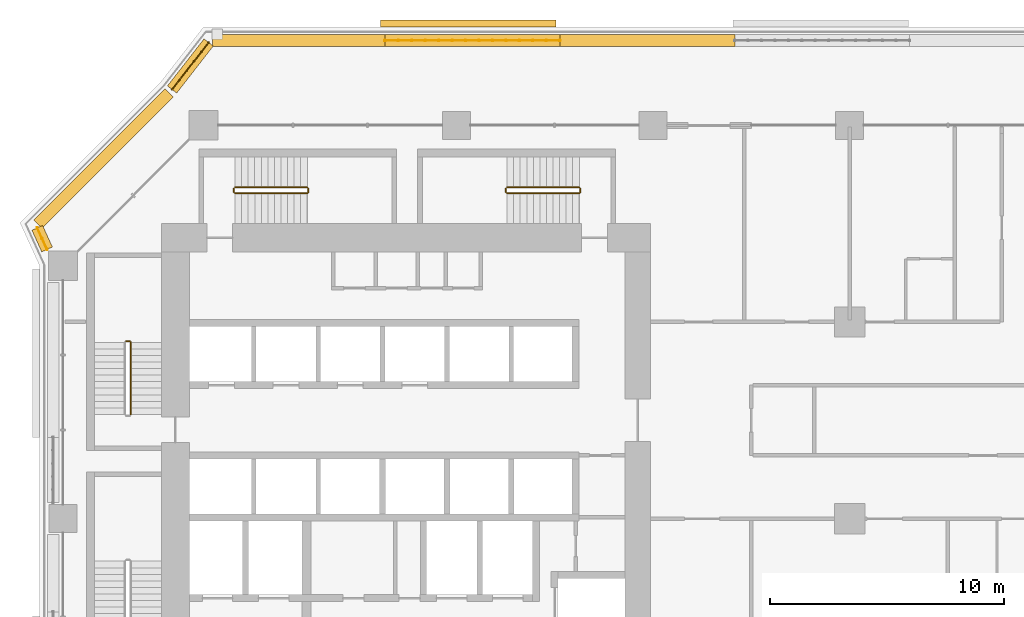
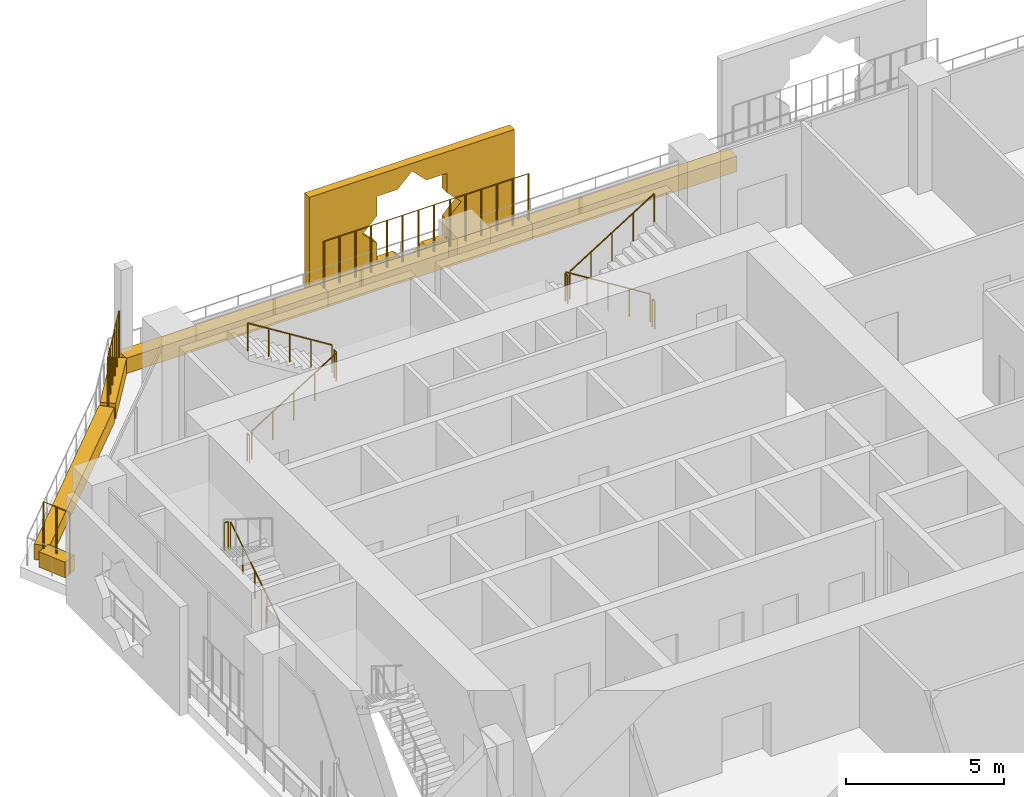
# One storey, part 26 of 28: 13 railings, 7 coverings.
"""IFC4 building model written with IfcOpenShell, lengths in metres."""

from ifc_helpers import new_model, si_unit, direction, frame, origin, origin_2d, place, context, subcontext, project, spatial, polyline, rectangle, circle, outline, extrude, material, material_profile, profile_set, type_object, element, save


model = new_model("IFC4")

# Units and contexts
model_context = context("Model", 3, precision=1e-05, world=origin(), true_north=direction((0.0, 1.0)))
body_context = subcontext(model_context, "Body", "Model", "MODEL_VIEW")
ifc_project = project(units=[si_unit("LENGTHUNIT", "METRE"), si_unit("AREAUNIT", "SQUARE_METRE"), si_unit("VOLUMEUNIT", "CUBIC_METRE"), si_unit("PLANEANGLEUNIT", "RADIAN"), si_unit("MASSUNIT", "GRAM", prefix="KILO")], contexts=[model_context])

# Site, building, storey
site_placement = place(None, origin())
site = spatial("IfcSite", under=ifc_project, at=site_placement, CompositionType="ELEMENT")
building_placement = place(site_placement, origin())
building = spatial("IfcBuilding", under=site, at=building_placement, Name="Kawkab Arch Medical Tower", CompositionType="ELEMENT")
storey_placement = place(building_placement, frame((0.0, 0.0, 72.800048828125)))
storey = spatial("IfcBuildingStorey", under=building, at=storey_placement, Name="L16", CompositionType="ELEMENT", Elevation=72.800048828125)

# Coverings
ifc_material_1 = material(Name="Bronze anodised aluminium mashrabiya panel, eight-point star pattern", Category="aluminium")
ifc_material_profile_1 = material_profile(ifc_material_1, outline(polyline([(-3.75, -2.10009765625), (3.75, -2.10009765625), (3.75, 2.10009765625), (-3.75, 2.10009765625), (-3.75, -2.10009765625)]), holes=[polyline([(1.800048828125, 0.0), (1.272705078125, 0.527099609375), (1.272705078125, 1.272705078125), (0.527099609375, 1.272705078125), (0.0, 1.800048828125), (-0.527099609375, 1.272705078125), (-1.272705078125, 1.272705078125), (-1.272705078125, 0.527099609375), (-1.800048828125, 0.0), (-1.272705078125, -0.527099609375), (-1.272705078125, -1.272705078125), (-0.527099609375, -1.272705078125), (0.0, -1.800048828125), (0.527099609375, -1.272705078125), (1.272705078125, -1.272705078125), (1.272705078125, -0.527099609375), (1.800048828125, 0.0)])]), Name="Mashrabiya panel 7500x4200")
ifc_profile_set_1 = profile_set([ifc_material_profile_1], Name="Bronze anodised aluminium mashrabiya panel, eight-point star pattern")
covering_type_1 = type_object("IfcCoveringType", Name="Mashrabiya panel 7500 x 4200", PredefinedType="USERDEFINED", material=ifc_profile_set_1)
covering_1_placement = place(storey_placement, frame((17.30322265625, 4.199951171875, 1.699951171875), z_axis=(0.0, 1.0, 0.0), x_axis=(-1.0, 0.0, 0.0)))
element("IfcCovering", 1, at=covering_1_placement, inside=storey, type_object=covering_type_1, Name="Mashrabiya panel L16.LOG-01-01.6", ObjectType="SCREEN", PredefinedType="USERDEFINED", context=body_context, shape_type="SweptSolid", body=[
    extrude(outline(polyline([(-3.75, -2.10009765625), (3.75, -2.10009765625), (3.75, 2.10009765625), (-3.75, 2.10009765625), (-3.75, -2.10009765625)]), holes=[polyline([(1.800048828125, 0.0), (1.272705078125, 0.527099609375), (1.272705078125, 1.272705078125), (0.527099609375, 1.272705078125), (0.0, 1.800048828125), (-0.527099609375, 1.272705078125), (-1.272705078125, 1.272705078125), (-1.272705078125, 0.527099609375), (-1.800048828125, 0.0), (-1.272705078125, -0.527099609375), (-1.272705078125, -1.272705078125), (-0.527099609375, -1.272705078125), (0.0, -1.800048828125), (0.527099609375, -1.272705078125), (1.272705078125, -1.272705078125), (1.272705078125, -0.527099609375), (1.800048828125, 0.0)])]), origin(), (0.0, 0.0, 1.0), 0.300048828125),
])
ifc_material_2 = material(Name="Planting soil in a precast trough", Category="concrete")
ifc_material_profile_2 = material_profile(ifc_material_2, rectangle(XDim=0.5, YDim=0.60009765625, at=origin_2d()), Name="Trough 500x600")
ifc_profile_set_2 = profile_set([ifc_material_profile_2], Name="Planting soil in a precast trough")
covering_type_2 = type_object("IfcCoveringType", Name="Planter trough 500 x 600", PredefinedType="USERDEFINED", material=ifc_profile_set_2)
covering_2_placement = place(storey_placement, frame((-0.680908203125, -5.302001953125, 0.300048828125), z_axis=(-0.415071571878, 0.909788761317, 0.0), x_axis=(-0.909788761317, -0.415071571878, 0.0)))
element("IfcCovering", 2, at=covering_2_placement, inside=storey, type_object=covering_type_2, Name="Planter L16.LOG-01-01.17", ObjectType="PLANTER", PredefinedType="USERDEFINED", context=body_context, shape_type="SweptSolid", body=[
    extrude(rectangle(XDim=0.5, YDim=0.60009765625, at=origin_2d()), origin(), (0.0, 0.0, 1.0), 1.0146484375),
])
covering_3_placement = place(storey_placement, frame((-1.072998046875, -4.217041015625, 0.300048828125), z_axis=(0.707106781187, 0.707106781187, 0.0), x_axis=(-0.707106781187, 0.707106781187, 0.0)))
element("IfcCovering", 3, at=covering_3_placement, inside=storey, type_object=covering_type_2, Name="Planter L16.LOG-01-01.18", ObjectType="PLANTER", PredefinedType="USERDEFINED", context=body_context, shape_type="SweptSolid", body=[
    extrude(rectangle(XDim=0.5, YDim=0.60009765625, at=origin_2d()), origin(), (0.0, 0.0, 1.0), 7.919677734375),
])
covering_4_placement = place(storey_placement, frame((4.658935546875, 1.531982421875, 0.300048828125), z_axis=(0.61404021143, 0.789274742246, 0.0), x_axis=(-0.789274742246, 0.61404021143, 0.0)))
element("IfcCovering", 4, at=covering_4_placement, inside=storey, type_object=covering_type_2, Name="Planter L16.LOG-01-01.19", ObjectType="PLANTER", PredefinedType="USERDEFINED", context=body_context, shape_type="SweptSolid", body=[
    extrude(rectangle(XDim=0.5, YDim=0.60009765625, at=origin_2d()), origin(), (0.0, 0.0, 1.0), 2.54541015625),
])
covering_5_placement = place(storey_placement, frame((6.384033203125, 3.6201171875, 0.300048828125), z_axis=(1.0, 0.0, 0.0), x_axis=(0.0, 1.0, 0.0)))
element("IfcCovering", 5, at=covering_5_placement, inside=storey, type_object=covering_type_2, Name="Planter L16.LOG-01-01.20", ObjectType="PLANTER", PredefinedType="USERDEFINED", context=body_context, shape_type="SweptSolid", body=[
    extrude(rectangle(XDim=0.5, YDim=0.60009765625, at=origin_2d()), origin(), (0.0, 0.0, 1.0), 7.369873046875),
])
covering_6_placement = place(storey_placement, frame((13.75390625, 3.6201171875, 0.300048828125), z_axis=(1.0, 0.0, 0.0), x_axis=(0.0, 1.0, 0.0)))
element("IfcCovering", 6, at=covering_6_placement, inside=storey, type_object=covering_type_2, Name="Planter L16.LOG-01-01.21", ObjectType="PLANTER", PredefinedType="USERDEFINED", context=body_context, shape_type="SweptSolid", body=[
    extrude(rectangle(XDim=0.5, YDim=0.60009765625, at=origin_2d()), origin(), (0.0, 0.0, 1.0), 7.47021484375),
])
covering_7_placement = place(storey_placement, frame((21.22412109375, 3.6201171875, 0.300048828125), z_axis=(1.0, 0.0, 0.0), x_axis=(0.0, 1.0, 0.0)))
element("IfcCovering", 7, at=covering_7_placement, inside=storey, type_object=covering_type_2, Name="Planter L16.LOG-01-01.22", ObjectType="PLANTER", PredefinedType="USERDEFINED", context=body_context, shape_type="SweptSolid", body=[
    extrude(rectangle(XDim=0.5, YDim=0.60009765625, at=origin_2d()), origin(), (0.0, 0.0, 1.0), 7.470947265625),
])

# Railings
ifc_material_3 = material(Name="Bronze anodised aluminium trellis for climbing plants", Category="aluminium")
railing_type_1 = type_object("IfcRailingType", Name="Planting trellis 2400", PredefinedType="USERDEFINED", material=ifc_material_3)
railing_1_placement = place(storey_placement, frame((-0.680908203125, -5.302001953125, 0.0)))
element("IfcRailing", 8, at=railing_1_placement, inside=storey, type_object=railing_type_1, Name="Planting trellis L16.LOG-01-01.17", ObjectType="TRELLIS", PredefinedType="USERDEFINED", context=body_context, shape_type="SweptSolid", body=[
    extrude(circle(Radius=0.01513671875, at=origin_2d()), frame((0.0, 0.0, 2.384765625), z_axis=(-0.415071571878, 0.909788761317, 0.0), x_axis=(-0.909788761317, -0.415071571878, 0.0)), (0.0, 0.0, 1.0), 1.0146484375),
    extrude(circle(Radius=0.030029296875, at=origin_2d()), origin(), (0.0, 0.0, 1.0), 2.369873046875),
    extrude(circle(Radius=0.030029296875, at=origin_2d()), frame((-0.21044921875, 0.46142578125, 0.0)), (0.0, 0.0, 1.0), 2.369873046875),
    extrude(circle(Radius=0.030029296875, at=origin_2d()), frame((-0.421142578125, 0.923095703125, 0.0)), (0.0, 0.0, 1.0), 2.369873046875),
])
railing_2_placement = place(storey_placement, frame((4.658935546875, 1.531982421875, 0.0)))
element("IfcRailing", 9, at=railing_2_placement, inside=storey, type_object=railing_type_1, Name="Planting trellis L16.LOG-01-01.19", ObjectType="TRELLIS", PredefinedType="USERDEFINED", context=body_context, shape_type="SweptSolid", body=[
    extrude(circle(Radius=0.01513671875, at=origin_2d()), frame((0.0, 0.0, 2.384765625), z_axis=(0.61404021143, 0.789274742246, 0.0), x_axis=(-0.789274742246, 0.61404021143, 0.0)), (0.0, 0.0, 1.0), 2.54541015625),
    extrude(circle(Radius=0.030029296875, at=origin_2d()), origin(), (0.0, 0.0, 1.0), 2.369873046875),
    extrude(circle(Radius=0.030029296875, at=origin_2d()), frame((0.3125, 0.40185546875, 0.0)), (0.0, 0.0, 1.0), 2.369873046875),
    extrude(circle(Radius=0.030029296875, at=origin_2d()), frame((0.625244140625, 0.8037109375, 0.0)), (0.0, 0.0, 1.0), 2.369873046875),
    extrude(circle(Radius=0.030029296875, at=origin_2d()), frame((0.937744140625, 1.205322265625, 0.0)), (0.0, 0.0, 1.0), 2.369873046875),
    extrude(circle(Radius=0.030029296875, at=origin_2d()), frame((1.25048828125, 1.607177734375, 0.0)), (0.0, 0.0, 1.0), 2.369873046875),
    extrude(circle(Radius=0.030029296875, at=origin_2d()), frame((1.56298828125, 2.009033203125, 0.0)), (0.0, 0.0, 1.0), 2.369873046875),
])
railing_3_placement = place(storey_placement, frame((13.75390625, 3.6201171875, 0.0)))
element("IfcRailing", 10, at=railing_3_placement, inside=storey, type_object=railing_type_1, Name="Planting trellis L16.LOG-01-01.21", ObjectType="TRELLIS", PredefinedType="USERDEFINED", context=body_context, shape_type="SweptSolid", body=[
    extrude(circle(Radius=0.01513671875, at=origin_2d()), frame((0.0, 0.0, 2.384765625), z_axis=(1.0, 0.0, 0.0), x_axis=(0.0, 1.0, 0.0)), (0.0, 0.0, 1.0), 7.47021484375),
    extrude(circle(Radius=0.030029296875, at=origin_2d()), origin(), (0.0, 0.0, 1.0), 2.369873046875),
    extrude(circle(Radius=0.030029296875, at=origin_2d()), frame((0.57470703125, 0.0, 0.0)), (0.0, 0.0, 1.0), 2.369873046875),
    extrude(circle(Radius=0.030029296875, at=origin_2d()), frame((1.149169921875, 0.0, 0.0)), (0.0, 0.0, 1.0), 2.369873046875),
    extrude(circle(Radius=0.030029296875, at=origin_2d()), frame((1.723876953125, 0.0, 0.0)), (0.0, 0.0, 1.0), 2.369873046875),
    extrude(circle(Radius=0.030029296875, at=origin_2d()), frame((2.298583984375, 0.0, 0.0)), (0.0, 0.0, 1.0), 2.369873046875),
    extrude(circle(Radius=0.030029296875, at=origin_2d()), frame((2.873046875, 0.0, 0.0)), (0.0, 0.0, 1.0), 2.369873046875),
    extrude(circle(Radius=0.030029296875, at=origin_2d()), frame((3.44775390625, 0.0, 0.0)), (0.0, 0.0, 1.0), 2.369873046875),
    extrude(circle(Radius=0.030029296875, at=origin_2d()), frame((4.0224609375, 0.0, 0.0)), (0.0, 0.0, 1.0), 2.369873046875),
    extrude(circle(Radius=0.030029296875, at=origin_2d()), frame((4.59716796875, 0.0, 0.0)), (0.0, 0.0, 1.0), 2.369873046875),
    extrude(circle(Radius=0.030029296875, at=origin_2d()), frame((5.171630859375, 0.0, 0.0)), (0.0, 0.0, 1.0), 2.369873046875),
    extrude(circle(Radius=0.030029296875, at=origin_2d()), frame((5.746337890625, 0.0, 0.0)), (0.0, 0.0, 1.0), 2.369873046875),
    extrude(circle(Radius=0.030029296875, at=origin_2d()), frame((6.321044921875, 0.0, 0.0)), (0.0, 0.0, 1.0), 2.369873046875),
    extrude(circle(Radius=0.030029296875, at=origin_2d()), frame((6.8955078125, 0.0, 0.0)), (0.0, 0.0, 1.0), 2.369873046875),
    extrude(circle(Radius=0.030029296875, at=origin_2d()), frame((7.47021484375, 0.0, 0.0)), (0.0, 0.0, 1.0), 2.369873046875),
])
ifc_material_4 = material(Name="Stainless steel", Category="steel")
railing_type_2 = type_object("IfcRailingType", Name="Stair guard 1100", PredefinedType="GUARDRAIL", material=ifc_material_4)
railing_4_placement = place(storey_placement, frame((2.89990234375, -12.35009765625, 0.175048828125)))
element("IfcRailing", 11, at=railing_4_placement, inside=storey, type_object=railing_type_2, Name="L16 ST1 stair guard 1", PredefinedType="GUARDRAIL", context=body_context, shape_type="SweptSolid", body=[
    extrude(circle(Radius=0.02392578125, at=origin_2d()), frame((0.0, 0.0, 1.076171875), z_axis=(0.0, 0.848028513186, 0.529950602248), x_axis=(-1.0, 0.0, 0.0)), (0.0, 0.0, 1.0), 3.632080078125),
    extrude(circle(Radius=0.02099609375, at=origin_2d()), origin(), (0.0, 0.0, 1.0), 1.052001953125),
    extrude(circle(Radius=0.02099609375, at=origin_2d()), frame((0.0, 0.77001953125, 0.481201171875)), (0.0, 0.0, 1.0), 1.052001953125),
    extrude(circle(Radius=0.02099609375, at=origin_2d()), frame((0.0, 1.5400390625, 0.96240234375)), (0.0, 0.0, 1.0), 1.052001953125),
    extrude(circle(Radius=0.02099609375, at=origin_2d()), frame((0.0, 2.31005859375, 1.443603515625)), (0.0, 0.0, 1.0), 1.052001953125),
    extrude(circle(Radius=0.02099609375, at=origin_2d()), frame((0.0, 3.080078125, 1.9248046875)), (0.0, 0.0, 1.0), 1.052001953125),
])
railing_5_placement = place(storey_placement, frame((2.85009765625, -9.219970703125, 2.099853515625)))
element("IfcRailing", 12, at=railing_5_placement, inside=storey, type_object=railing_type_2, Name="L16 ST1 stair guard 2", PredefinedType="GUARDRAIL", context=body_context, shape_type="SweptSolid", body=[
    extrude(circle(Radius=0.02392578125, at=origin_2d()), frame((0.0, 0.0, 1.076171875), z_axis=(-1.0, 0.0, 0.0), x_axis=(0.0, -1.0, 0.0)), (0.0, 0.0, 1.0), 0.150146484375),
    extrude(circle(Radius=0.02099609375, at=origin_2d()), origin(), (0.0, 0.0, 1.0), 1.052001953125),
    extrude(circle(Radius=0.02099609375, at=origin_2d()), frame((-0.150146484375, 0.0, 0.0)), (0.0, 0.0, 1.0), 1.052001953125),
])
railing_6_placement = place(storey_placement, frame((7.35009765625, -2.89990234375, 0.175048828125)))
element("IfcRailing", 13, at=railing_6_placement, inside=storey, type_object=railing_type_2, Name="L16 ST3 stair guard 1", PredefinedType="GUARDRAIL", context=body_context, shape_type="SweptSolid", body=[
    extrude(circle(Radius=0.02392578125, at=origin_2d()), frame((0.0, 0.0, 1.076171875), z_axis=(0.848009633417, 0.0, 0.529980812513), x_axis=(0.0, 1.0, 0.0)), (0.0, 0.0, 1.0), 3.6318359375),
    extrude(circle(Radius=0.02099609375, at=origin_2d()), origin(), (0.0, 0.0, 1.0), 1.052001953125),
    extrude(circle(Radius=0.02099609375, at=origin_2d()), frame((0.77001953125, 0.0, 0.481201171875)), (0.0, 0.0, 1.0), 1.052001953125),
    extrude(circle(Radius=0.02099609375, at=origin_2d()), frame((1.5400390625, 0.0, 0.96240234375)), (0.0, 0.0, 1.0), 1.052001953125),
    extrude(circle(Radius=0.02099609375, at=origin_2d()), frame((2.309814453125, 0.0, 1.443603515625)), (0.0, 0.0, 1.0), 1.052001953125),
    extrude(circle(Radius=0.02099609375, at=origin_2d()), frame((3.079833984375, 0.0, 1.9248046875)), (0.0, 0.0, 1.0), 1.052001953125),
])
railing_7_placement = place(storey_placement, frame((10.47998046875, -2.85009765625, 2.099853515625)))
element("IfcRailing", 14, at=railing_7_placement, inside=storey, type_object=railing_type_2, Name="L16 ST3 stair guard 2", PredefinedType="GUARDRAIL", context=body_context, shape_type="SweptSolid", body=[
    extrude(circle(Radius=0.02392578125, at=origin_2d()), frame((0.0, 0.0, 1.076171875), z_axis=(0.0, 1.0, 0.0), x_axis=(-1.0, 0.0, 0.0)), (0.0, 0.0, 1.0), 0.150146484375),
    extrude(circle(Radius=0.02099609375, at=origin_2d()), origin(), (0.0, 0.0, 1.0), 1.052001953125),
    extrude(circle(Radius=0.02099609375, at=origin_2d()), frame((0.0, 0.150146484375, 0.0)), (0.0, 0.0, 1.0), 1.052001953125),
])
railing_8_placement = place(storey_placement, frame((10.429931640625, -2.64990234375, 2.27490234375)))
element("IfcRailing", 15, at=railing_8_placement, inside=storey, type_object=railing_type_2, Name="L16 ST3 stair guard 3", PredefinedType="GUARDRAIL", context=body_context, shape_type="SweptSolid", body=[
    extrude(circle(Radius=0.02392578125, at=origin_2d()), frame((0.0, 0.0, 1.076171875), z_axis=(-0.847979421464, 0.0, 0.530029150871), x_axis=(0.0, -1.0, 0.0)), (0.0, 0.0, 1.0), 3.632080078125),
    extrude(circle(Radius=0.02099609375, at=origin_2d()), origin(), (0.0, 0.0, 1.0), 1.052001953125),
    extrude(circle(Radius=0.02099609375, at=origin_2d()), frame((-0.77001953125, 0.0, 0.481201171875)), (0.0, 0.0, 1.0), 1.052001953125),
    extrude(circle(Radius=0.02099609375, at=origin_2d()), frame((-1.5400390625, 0.0, 0.96240234375)), (0.0, 0.0, 1.0), 1.052001953125),
    extrude(circle(Radius=0.02099609375, at=origin_2d()), frame((-2.309814453125, 0.0, 1.44384765625)), (0.0, 0.0, 1.0), 1.052001953125),
    extrude(circle(Radius=0.02099609375, at=origin_2d()), frame((-3.079833984375, 0.0, 1.925048828125)), (0.0, 0.0, 1.0), 1.052001953125),
])
railing_9_placement = place(storey_placement, frame((7.300048828125, -2.85009765625, 0.0)))
element("IfcRailing", 16, at=railing_9_placement, inside=storey, type_object=railing_type_2, Name="L16 ST3 stair guard 4", PredefinedType="GUARDRAIL", context=body_context, shape_type="SweptSolid", body=[
    extrude(circle(Radius=0.02392578125, at=origin_2d()), frame((0.0, 0.0, 1.076171875), z_axis=(0.0, 1.0, 0.0), x_axis=(-1.0, 0.0, 0.0)), (0.0, 0.0, 1.0), 0.150146484375),
    extrude(circle(Radius=0.02099609375, at=origin_2d()), origin(), (0.0, 0.0, 1.0), 1.052001953125),
    extrude(circle(Radius=0.02099609375, at=origin_2d()), frame((0.0, 0.150146484375, 0.0)), (0.0, 0.0, 1.0), 1.052001953125),
])
railing_10_placement = place(storey_placement, frame((22.050048828125, -2.64990234375, 0.175048828125)))
element("IfcRailing", 17, at=railing_10_placement, inside=storey, type_object=railing_type_2, Name="L16 ST4 stair guard 1", PredefinedType="GUARDRAIL", context=body_context, shape_type="SweptSolid", body=[
    extrude(circle(Radius=0.02392578125, at=origin_2d()), frame((0.0, 0.0, 1.076171875), z_axis=(-0.848028513186, 0.0, 0.529950602248), x_axis=(0.0, -1.0, 0.0)), (0.0, 0.0, 1.0), 3.632080078125),
    extrude(circle(Radius=0.02099609375, at=origin_2d()), origin(), (0.0, 0.0, 1.0), 1.052001953125),
    extrude(circle(Radius=0.02099609375, at=origin_2d()), frame((-0.77001953125, 0.0, 0.481201171875)), (0.0, 0.0, 1.0), 1.052001953125),
    extrude(circle(Radius=0.02099609375, at=origin_2d()), frame((-1.5400390625, 0.0, 0.96240234375)), (0.0, 0.0, 1.0), 1.052001953125),
    extrude(circle(Radius=0.02099609375, at=origin_2d()), frame((-2.31005859375, 0.0, 1.443603515625)), (0.0, 0.0, 1.0), 1.052001953125),
    extrude(circle(Radius=0.02099609375, at=origin_2d()), frame((-3.080078125, 0.0, 1.9248046875)), (0.0, 0.0, 1.0), 1.052001953125),
])
railing_11_placement = place(storey_placement, frame((18.919921875, -2.699951171875, 2.099853515625)))
element("IfcRailing", 18, at=railing_11_placement, inside=storey, type_object=railing_type_2, Name="L16 ST4 stair guard 2", PredefinedType="GUARDRAIL", context=body_context, shape_type="SweptSolid", body=[
    extrude(circle(Radius=0.02392578125, at=origin_2d()), frame((0.0, 0.0, 1.076171875), z_axis=(0.0, -1.0, 0.0), x_axis=(1.0, 0.0, 0.0)), (0.0, 0.0, 1.0), 0.150146484375),
    extrude(circle(Radius=0.02099609375, at=origin_2d()), origin(), (0.0, 0.0, 1.0), 1.052001953125),
    extrude(circle(Radius=0.02099609375, at=origin_2d()), frame((0.0, -0.150146484375, 0.0)), (0.0, 0.0, 1.0), 1.052001953125),
])
railing_12_placement = place(storey_placement, frame((18.969970703125, -2.89990234375, 2.27490234375)))
element("IfcRailing", 19, at=railing_12_placement, inside=storey, type_object=railing_type_2, Name="L16 ST4 stair guard 3", PredefinedType="GUARDRAIL", context=body_context, shape_type="SweptSolid", body=[
    extrude(circle(Radius=0.02392578125, at=origin_2d()), frame((0.0, 0.0, 1.076171875), z_axis=(0.847998304005, 0.0, 0.529998940003), x_axis=(0.0, 1.0, 0.0)), (0.0, 0.0, 1.0), 3.632080078125),
    extrude(circle(Radius=0.02099609375, at=origin_2d()), origin(), (0.0, 0.0, 1.0), 1.052001953125),
    extrude(circle(Radius=0.02099609375, at=origin_2d()), frame((0.77001953125, 0.0, 0.481201171875)), (0.0, 0.0, 1.0), 1.052001953125),
    extrude(circle(Radius=0.02099609375, at=origin_2d()), frame((1.5400390625, 0.0, 0.96240234375)), (0.0, 0.0, 1.0), 1.052001953125),
    extrude(circle(Radius=0.02099609375, at=origin_2d()), frame((2.31005859375, 0.0, 1.44384765625)), (0.0, 0.0, 1.0), 1.052001953125),
    extrude(circle(Radius=0.02099609375, at=origin_2d()), frame((3.080078125, 0.0, 1.925048828125)), (0.0, 0.0, 1.0), 1.052001953125),
])
railing_13_placement = place(storey_placement, frame((22.10009765625, -2.699951171875, 0.0)))
element("IfcRailing", 20, at=railing_13_placement, inside=storey, type_object=railing_type_2, Name="L16 ST4 stair guard 4", PredefinedType="GUARDRAIL", context=body_context, shape_type="SweptSolid", body=[
    extrude(circle(Radius=0.02392578125, at=origin_2d()), frame((0.0, 0.0, 1.076171875), z_axis=(0.0, -1.0, 0.0), x_axis=(1.0, 0.0, 0.0)), (0.0, 0.0, 1.0), 0.150146484375),
    extrude(circle(Radius=0.02099609375, at=origin_2d()), origin(), (0.0, 0.0, 1.0), 1.052001953125),
    extrude(circle(Radius=0.02099609375, at=origin_2d()), frame((0.0, -0.150146484375, 0.0)), (0.0, 0.0, 1.0), 1.052001953125),
])

save(model, "model.ifc")
